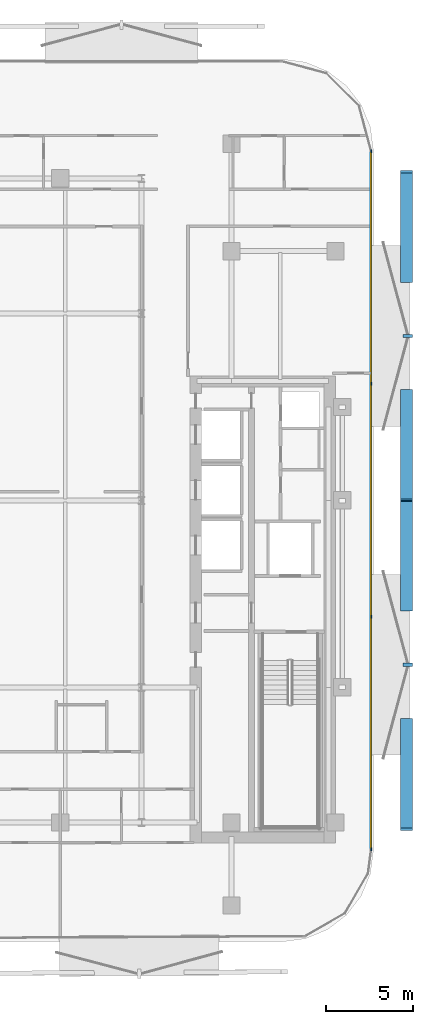
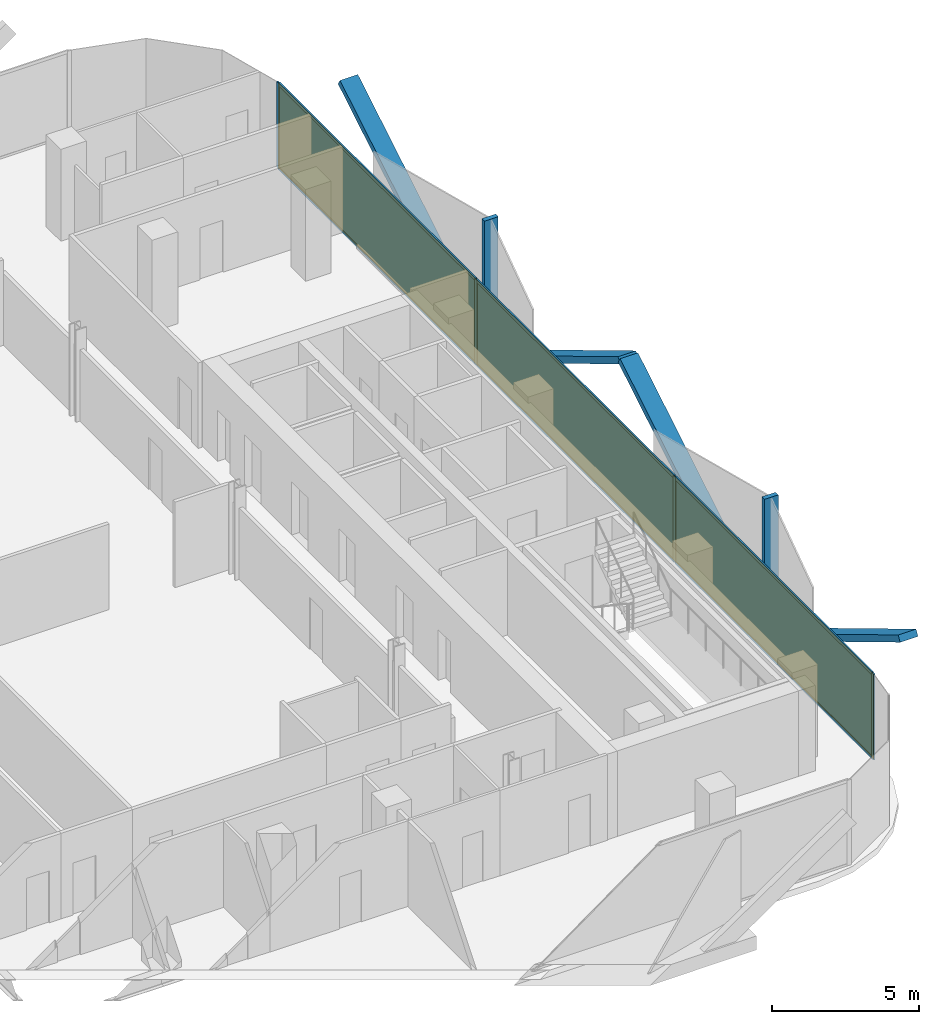
# One storey, part 11 of 17: 16 members, 3 plates, 1 curtain wall.
"""IFC4 building model written with IfcOpenShell, lengths in metres."""

from ifc_helpers import new_model, si_unit, direction, frame, frame_2d, origin, origin_2d, place, context, subcontext, project, spatial, rectangle, extrude, material, layer, layer_set, material_profile, profile_set, type_object, element, aggregate, save


model = new_model("IFC4")

# Units and contexts
model_context = context("Model", 3, precision=1e-05, world=origin(), true_north=direction((0.0, 1.0)))
body_context = subcontext(model_context, "Body", "Model", "MODEL_VIEW")
ifc_project = project(units=[si_unit("LENGTHUNIT", "METRE"), si_unit("AREAUNIT", "SQUARE_METRE"), si_unit("VOLUMEUNIT", "CUBIC_METRE"), si_unit("PLANEANGLEUNIT", "RADIAN"), si_unit("MASSUNIT", "GRAM", prefix="KILO")], contexts=[model_context])

# Member
ifc_material_1 = material(Name="Anodised Bronze Aluminium 6063-T6", Category="aluminium")
ifc_material_profile_1 = material_profile(ifc_material_1, rectangle(XDim=0.260009765625, YDim=0.699951171875, at=origin_2d()))
ifc_profile_set_1 = profile_set([ifc_material_profile_1], Name="Anodised Bronze Aluminium 6063-T6")
member_type_1 = type_object("IfcMemberType", Name="Bronze Diamond Solar-Screen Lattice Rib BDL-700", PredefinedType="MULLION", material=ifc_profile_set_1)
site_placement = place(None, origin())
building_placement = place(site_placement, origin())
storey_placement = place(building_placement, frame((0.0, 0.0, 180.199951171875)))
member_1_placement = place(storey_placement, frame((24.5, 6.330322265625, -0.1298828125), z_axis=(0.0, -0.857382035675, 0.514680527027), x_axis=(0.0, -0.514680527027, -0.857382035675)))
member_1 = element("IfcMember", 1, at=member_1_placement, type_object=member_type_1, Name="L41 Bronze Diamond Solar Screen Lattice Rib 271A", PredefinedType="MULLION", context=body_context, shape_type="SweptSolid", body=[
    extrude(rectangle(XDim=0.260009765625, YDim=0.699951171875, at=origin_2d()), origin(), (0.0, 0.0, 1.0), 7.38330078125),
])

member_2_placement = place(storey_placement, frame((24.5, 12.660400390625, -0.1298828125), z_axis=(0.0, 0.857382035675, 0.514680527027), x_axis=(0.0, 0.514680527027, -0.857382035675)))
member_2 = element("IfcMember", 2, at=member_2_placement, type_object=member_type_1, Name="L41 Bronze Diamond Solar Screen Lattice Rib 271B", PredefinedType="MULLION", context=body_context, shape_type="SweptSolid", body=[
    extrude(rectangle(XDim=0.260009765625, YDim=0.699951171875, at=origin_2d()), origin(), (0.0, 0.0, 1.0), 7.38330078125),
])

member_3_placement = place(storey_placement, frame((24.5, -12.660400390625, -0.1298828125), z_axis=(0.0, -0.857382035675, 0.514680527027), x_axis=(0.0, -0.514680527027, -0.857382035675)))
member_3 = element("IfcMember", 3, at=member_3_placement, type_object=member_type_1, Name="L41 Bronze Diamond Solar Screen Lattice Rib 272A", PredefinedType="MULLION", context=body_context, shape_type="SweptSolid", body=[
    extrude(rectangle(XDim=0.260009765625, YDim=0.699951171875, at=origin_2d()), origin(), (0.0, 0.0, 1.0), 7.38330078125),
])

member_4_placement = place(storey_placement, frame((24.5, -6.330322265625, -0.1298828125), z_axis=(0.0, 0.857382035675, 0.514680527027), x_axis=(0.0, 0.514680527027, -0.857382035675)))
member_4 = element("IfcMember", 4, at=member_4_placement, type_object=member_type_1, Name="L41 Bronze Diamond Solar Screen Lattice Rib 272B", PredefinedType="MULLION", context=body_context, shape_type="SweptSolid", body=[
    extrude(rectangle(XDim=0.260009765625, YDim=0.699951171875, at=origin_2d()), origin(), (0.0, 0.0, 1.0), 7.38330078125),
])

ifc_material_2 = material(Name="Anodised Bronze Aluminium 6063-T6", Category="aluminium")
ifc_material_profile_2 = material_profile(ifc_material_2, rectangle(XDim=0.179931640625, YDim=0.5400390625, at=origin_2d()))
ifc_profile_set_2 = profile_set([ifc_material_profile_2], Name="Anodised Bronze Aluminium 6063-T6")
member_type_2 = type_object("IfcMemberType", Name="Bronze Solar-Screen Vertical Fold Fin BSF-540", PredefinedType="MULLION", material=ifc_profile_set_2)
member_5_placement = place(storey_placement, frame((24.580078125, 9.495361328125, -0.1298828125), z_axis=(0.0, 0.0, 1.0), x_axis=(0.0, -1.0, 0.0)))
member_5 = element("IfcMember", 5, at=member_5_placement, type_object=member_type_2, Name="L41 Bronze Solar Screen Vertical Fin 271", PredefinedType="MULLION", context=body_context, shape_type="SweptSolid", body=[
    extrude(rectangle(XDim=0.179931640625, YDim=0.5400390625, at=origin_2d()), origin(), (0.0, 0.0, 1.0), 3.800048828125),
])

member_6_placement = place(storey_placement, frame((24.580078125, -9.495361328125, -0.1298828125), z_axis=(0.0, 0.0, 1.0), x_axis=(0.0, -1.0, 0.0)))
member_6 = element("IfcMember", 6, at=member_6_placement, type_object=member_type_2, Name="L41 Bronze Solar Screen Vertical Fin 272", PredefinedType="MULLION", context=body_context, shape_type="SweptSolid", body=[
    extrude(rectangle(XDim=0.179931640625, YDim=0.5400390625, at=origin_2d()), origin(), (0.0, 0.0, 1.0), 3.800048828125),
])

ifc_material_3 = material(Name="Anodised Bronze Aluminium 6063-T6", Category="aluminium")
ifc_material_profile_3 = material_profile(ifc_material_3, rectangle(XDim=0.06005859375, YDim=0.1650390625, at=origin_2d()))
ifc_profile_set_3 = profile_set([ifc_material_profile_3], Name="Anodised Bronze Aluminium 6063-T6")
member_type_3 = type_object("IfcMemberType", Name="CW-Z3 Mullion 60x165", PredefinedType="MULLION", material=ifc_profile_set_3)
member_7_placement = place(storey_placement, frame((22.4599609375, 20.160888671875, 0.0), z_axis=(0.0, 0.0, 1.0), x_axis=(1.0, 0.0, 0.0)))
member_7 = element("IfcMember", 7, at=member_7_placement, type_object=member_type_3, Name="CW-Z3 mullion 1", PredefinedType="MULLION", context=body_context, shape_type="SweptSolid", body=[
    extrude(rectangle(XDim=0.06005859375, YDim=0.1650390625, at=origin_2d()), origin(), (0.0, 0.0, 1.0), 3.5400390625),
])

member_8_placement = place(storey_placement, frame((22.4599609375, 6.730224609375, 0.0), z_axis=(0.0, 0.0, 1.0), x_axis=(1.0, 0.0, 0.0)))
member_8 = element("IfcMember", 8, at=member_8_placement, type_object=member_type_3, Name="CW-Z3 mullion 2", PredefinedType="MULLION", context=body_context, shape_type="SweptSolid", body=[
    extrude(rectangle(XDim=0.06005859375, YDim=0.1650390625, at=origin_2d()), origin(), (0.0, 0.0, 1.0), 3.5400390625),
])

member_9_placement = place(storey_placement, frame((22.4599609375, -6.730224609375, 0.0), z_axis=(0.0, 0.0, 1.0), x_axis=(1.0, 0.0, 0.0)))
member_9 = element("IfcMember", 9, at=member_9_placement, type_object=member_type_3, Name="CW-Z3 mullion 3", PredefinedType="MULLION", context=body_context, shape_type="SweptSolid", body=[
    extrude(rectangle(XDim=0.06005859375, YDim=0.1650390625, at=origin_2d()), origin(), (0.0, 0.0, 1.0), 3.5400390625),
])

member_10_placement = place(storey_placement, frame((22.4599609375, -20.160888671875, 0.0), z_axis=(0.0, 0.0, 1.0), x_axis=(1.0, 0.0, 0.0)))
member_10 = element("IfcMember", 10, at=member_10_placement, type_object=member_type_3, Name="CW-Z3 mullion 4", PredefinedType="MULLION", context=body_context, shape_type="SweptSolid", body=[
    extrude(rectangle(XDim=0.06005859375, YDim=0.1650390625, at=origin_2d()), origin(), (0.0, 0.0, 1.0), 3.5400390625),
])

ifc_material_4 = material(Name="Anodised Bronze Aluminium 6063-T6", Category="aluminium")
ifc_material_profile_4 = material_profile(ifc_material_4, rectangle(XDim=0.06005859375, YDim=0.1298828125, at=origin_2d()))
ifc_profile_set_4 = profile_set([ifc_material_profile_4], Name="Anodised Bronze Aluminium 6063-T6")
member_type_4 = type_object("IfcMemberType", Name="CW-Z3 Transom 60x130", PredefinedType="USERDEFINED", material=ifc_profile_set_4)
member_11_placement = place(storey_placement, frame((22.4599609375, 20.130859375, 0.030029296875), z_axis=(0.0, -1.0, 0.0), x_axis=(1.0, 0.0, 0.0)))
member_11 = element("IfcMember", 11, at=member_11_placement, type_object=member_type_4, Name="CW-Z3 transom 1.1", ObjectType="TRANSOM", PredefinedType="USERDEFINED", context=body_context, shape_type="SweptSolid", body=[
    extrude(rectangle(XDim=0.06005859375, YDim=0.1298828125, at=origin_2d()), origin(), (0.0, 0.0, 1.0), 13.37060546875),
])

member_12_placement = place(storey_placement, frame((22.4599609375, 20.130859375, 3.510009765625), z_axis=(0.0, -1.0, 0.0), x_axis=(1.0, 0.0, 0.0)))
member_12 = element("IfcMember", 12, at=member_12_placement, type_object=member_type_4, Name="CW-Z3 transom 1.2", ObjectType="TRANSOM", PredefinedType="USERDEFINED", context=body_context, shape_type="SweptSolid", body=[
    extrude(rectangle(XDim=0.06005859375, YDim=0.1298828125, at=origin_2d()), origin(), (0.0, 0.0, 1.0), 13.37060546875),
])

member_13_placement = place(storey_placement, frame((22.4599609375, 6.7001953125, 0.030029296875), z_axis=(0.0, -1.0, 0.0), x_axis=(1.0, 0.0, 0.0)))
member_13 = element("IfcMember", 13, at=member_13_placement, type_object=member_type_4, Name="CW-Z3 transom 2.1", ObjectType="TRANSOM", PredefinedType="USERDEFINED", context=body_context, shape_type="SweptSolid", body=[
    extrude(rectangle(XDim=0.06005859375, YDim=0.1298828125, at=origin_2d()), origin(), (0.0, 0.0, 1.0), 13.400390625),
])

member_14_placement = place(storey_placement, frame((22.4599609375, 6.7001953125, 3.510009765625), z_axis=(0.0, -1.0, 0.0), x_axis=(1.0, 0.0, 0.0)))
member_14 = element("IfcMember", 14, at=member_14_placement, type_object=member_type_4, Name="CW-Z3 transom 2.2", ObjectType="TRANSOM", PredefinedType="USERDEFINED", context=body_context, shape_type="SweptSolid", body=[
    extrude(rectangle(XDim=0.06005859375, YDim=0.1298828125, at=origin_2d()), origin(), (0.0, 0.0, 1.0), 13.400390625),
])

member_15_placement = place(storey_placement, frame((22.4599609375, -6.76025390625, 0.030029296875), z_axis=(0.0, -1.0, 0.0), x_axis=(1.0, 0.0, 0.0)))
member_15 = element("IfcMember", 15, at=member_15_placement, type_object=member_type_4, Name="CW-Z3 transom 3.1", ObjectType="TRANSOM", PredefinedType="USERDEFINED", context=body_context, shape_type="SweptSolid", body=[
    extrude(rectangle(XDim=0.06005859375, YDim=0.1298828125, at=origin_2d()), origin(), (0.0, 0.0, 1.0), 13.37060546875),
])

member_16_placement = place(storey_placement, frame((22.4599609375, -6.76025390625, 3.510009765625), z_axis=(0.0, -1.0, 0.0), x_axis=(1.0, 0.0, 0.0)))
member_16 = element("IfcMember", 16, at=member_16_placement, type_object=member_type_4, Name="CW-Z3 transom 3.2", ObjectType="TRANSOM", PredefinedType="USERDEFINED", context=body_context, shape_type="SweptSolid", body=[
    extrude(rectangle(XDim=0.06005859375, YDim=0.1298828125, at=origin_2d()), origin(), (0.0, 0.0, 1.0), 13.37060546875),
])

# Plate
ifc_material_5 = material(Name="Low-E Solar Control Laminated Glass", Category="glass")
ifc_layer_1 = layer(ifc_material_5, 0.030029296875, Name="Low-E Solar Control Laminated Glass")
ifc_layer_set_1 = layer_set([ifc_layer_1], Name="Low-E Solar Control Laminated Glass")
plate_type = type_object("IfcPlateType", Name="CW-Z3 Low-E Double Glazed Panel 30mm", PredefinedType="CURTAIN_PANEL", material=ifc_layer_set_1)
plate_1_placement = place(storey_placement, frame((22.4599609375, 13.445556640625, 0.06005859375), z_axis=(0.0, 0.0, 1.0), x_axis=(0.0, -1.0, 0.0)))
plate_1 = element("IfcPlate", 17, at=plate_1_placement, type_object=plate_type, Name="CW-Z3 panel 1.1", PredefinedType="CURTAIN_PANEL", context=body_context, shape_type="SweptSolid", body=[
    extrude(rectangle(XDim=13.37060546875, YDim=0.030029296875, at=origin_2d()), origin(), (0.0, 0.0, 1.0), 3.419921875),
])

plate_2_placement = place(storey_placement, frame((22.4599609375, 0.0, 0.06005859375), z_axis=(0.0, 0.0, 1.0), x_axis=(0.0, -1.0, 0.0)))
plate_2 = element("IfcPlate", 18, at=plate_2_placement, type_object=plate_type, Name="CW-Z3 panel 2.1", PredefinedType="CURTAIN_PANEL", context=body_context, shape_type="SweptSolid", body=[
    extrude(rectangle(XDim=13.400634765625, YDim=0.030029296875, at=origin_2d()), origin(), (0.0, 0.0, 1.0), 3.419921875),
])

plate_3_placement = place(storey_placement, frame((22.4599609375, -13.445556640625, 0.06005859375), z_axis=(0.0, 0.0, 1.0), x_axis=(0.0, -1.0, 0.0)))
plate_3 = element("IfcPlate", 19, at=plate_3_placement, type_object=plate_type, Name="CW-Z3 panel 3.1", PredefinedType="CURTAIN_PANEL", context=body_context, shape_type="SweptSolid", body=[
    extrude(rectangle(XDim=13.37060546875, YDim=0.030029296875, at=origin_2d()), origin(), (0.0, 0.0, 1.0), 3.419921875),
])

# Site, building, storey
site = spatial("IfcSite", under=ifc_project, at=site_placement, CompositionType="ELEMENT")
building = spatial("IfcBuilding", under=site, at=building_placement, Name="Khairoan Windgate Tower", CompositionType="ELEMENT")
storey = spatial("IfcBuildingStorey", under=building, at=storey_placement, Name="L41", CompositionType="ELEMENT", Elevation=180.199951171875)

# Curtain wall
ifc_material_6 = material(Name="Anodised Bronze Aluminium 6063-T6", Category="aluminium")
ifc_layer_2 = layer(ifc_material_6, 0.1650390625, Name="Anodised Bronze Aluminium 6063-T6")
ifc_layer_set_2 = layer_set([ifc_layer_2], Name="Anodised Bronze Aluminium 6063-T6")
curtain_wall_type = type_object("IfcCurtainWallType", Name="Luxury Hotel Acoustic Curtain Wall CW-Z3", PredefinedType="NOTDEFINED", material=ifc_layer_set_2)
curtain_wall_placement = place(storey_placement, frame((22.4599609375, 20.19091796875, 0.0), z_axis=(0.0, 0.0, 1.0), x_axis=(0.0, -1.0, 0.0)))
curtain_wall = element("IfcCurtainWall", 20, at=curtain_wall_placement, inside=storey, type_object=curtain_wall_type, Name="L41 Unitised Curtain Wall 13", PredefinedType="NOTDEFINED", context=body_context, shape_type="SweptSolid", body=[
    extrude(rectangle(XDim=40.3818359375, YDim=0.010009765625, at=frame_2d((20.19091796875, 0.0))), origin(), (0.0, 0.0, 1.0), 3.5400390625),
])

aggregate(curtain_wall, [member_7, member_8, member_9, member_10, member_11, member_12, plate_1, member_13, member_14, plate_2, member_15, member_16, plate_3, member_1, member_2, member_5, member_3, member_4, member_6])

save(model, "model.ifc")
